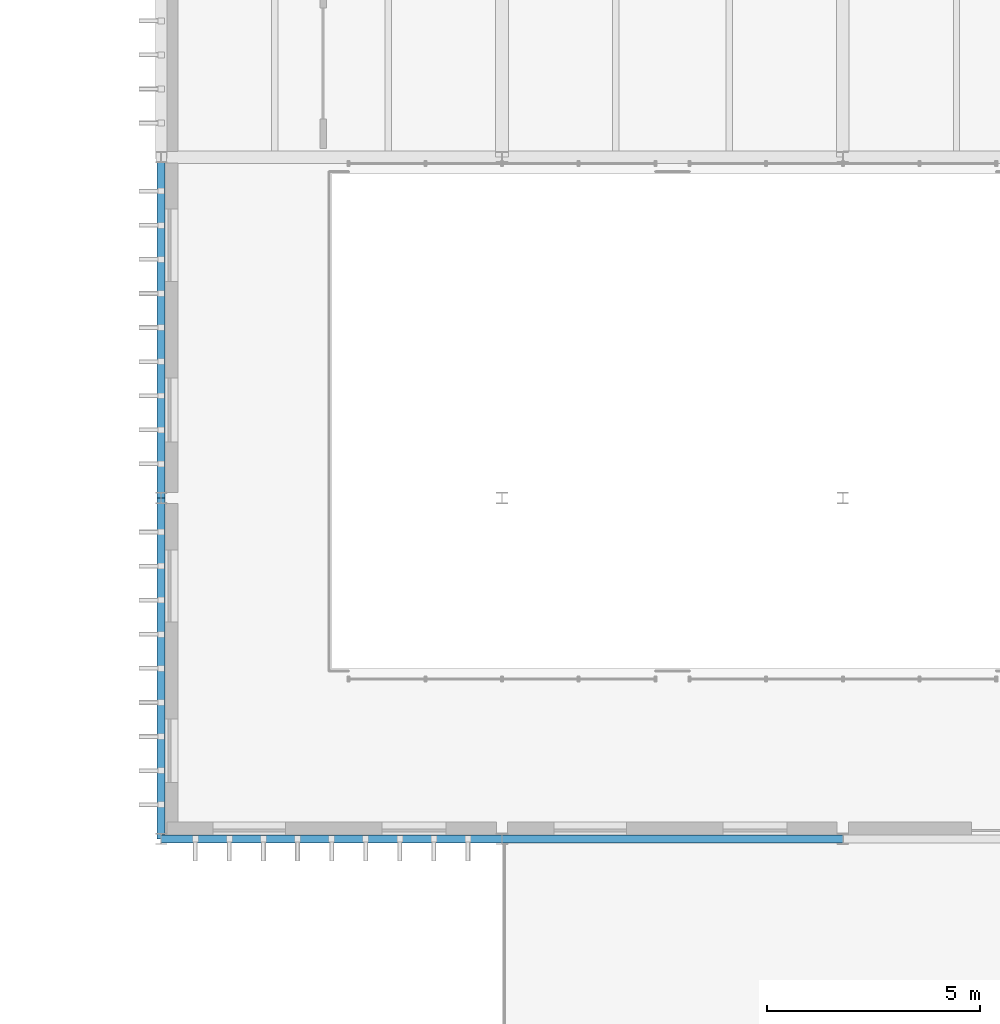
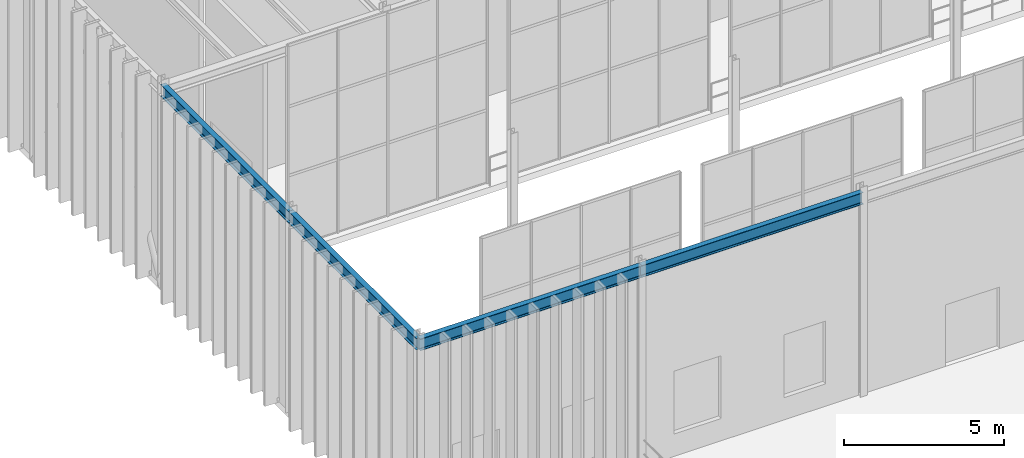
# One storey, part 55 of 138: 4 beams.
"""IFC4 building model written with IfcOpenShell, lengths in metres."""

from ifc_helpers import new_model, si_unit, direction, frame, origin, origin_2d, place, context, subcontext, project, spatial, i_section, extrude, material, material_profile, profile_set, type_object, element, save


model = new_model("IFC4")

# Units and contexts
model_context = context("Model", 3, precision=1e-05, world=origin(), true_north=direction((0.0, 1.0)))
body_context = subcontext(model_context, "Body", "Model", "MODEL_VIEW")
ifc_project = project(units=[si_unit("LENGTHUNIT", "METRE"), si_unit("AREAUNIT", "SQUARE_METRE"), si_unit("VOLUMEUNIT", "CUBIC_METRE"), si_unit("PLANEANGLEUNIT", "RADIAN"), si_unit("MASSUNIT", "GRAM", prefix="KILO")], contexts=[model_context])

# Site, building, storey
site_placement = place(None, origin())
site = spatial("IfcSite", under=ifc_project, at=site_placement, CompositionType="ELEMENT")
building_placement = place(site_placement, origin())
building = spatial("IfcBuilding", under=site, at=building_placement, Name="Sundkrona Museum", CompositionType="ELEMENT")
storey_placement = place(building_placement, frame((0.0, 0.0, 9.60009765625)))
storey = spatial("IfcBuildingStorey", under=building, at=storey_placement, Name="L02", CompositionType="ELEMENT", Elevation=9.60009765625)

# Beams
ifc_material = material(Name="Steel S355J2", Category="steel")
ifc_material_profile = material_profile(ifc_material, i_section(OverallWidth=0.18994140625, OverallDepth=0.449951171875, WebThickness=0.009521484375, FlangeThickness=0.0146484375, FilletRadius=0.02099609375, at=origin_2d()), Name="IPE 450")
ifc_profile_set = profile_set([ifc_material_profile], Name="Steel S355J2")
beam_type = type_object("IfcBeamType", Name="SP-IPE450", PredefinedType="SPANDREL", material=ifc_profile_set)
for number, where, z_axis, x_axis, name in (
    (1, (16.0, 78.0, 7.534912109375), (1.0, 0.0, 0.0), (0.0, 1.0, 0.0), "L02 Girder X-1194"),
    (2, (24.0, 78.0, 7.534912109375), (1.0, 0.0, 0.0), (0.0, 1.0, 0.0), "L02 Girder X-1195"),
    (3, (16.0, 78.0, 7.534912109375), (0.0, 1.0, 0.0), (-1.0, 0.0, 0.0), "L02 Girder Y-1266"),
    (4, (16.0, 86.0, 7.534912109375), (0.0, 1.0, 0.0), (-1.0, 0.0, 0.0), "L02 Girder Y-1267"),
):
    element("IfcBeam", number, at=place(storey_placement, frame(where, z_axis=z_axis, x_axis=x_axis)), inside=storey, type_object=beam_type, Name=name, PredefinedType="SPANDREL", context=body_context, shape_type="SweptSolid", body=[
        extrude(i_section(OverallWidth=0.18994140625, OverallDepth=0.449951171875, WebThickness=0.009521484375, FlangeThickness=0.0146484375, FilletRadius=0.02099609375, at=origin_2d()), origin(), (0.0, 0.0, 1.0), 8.0),
    ])

save(model, "model.ifc")
